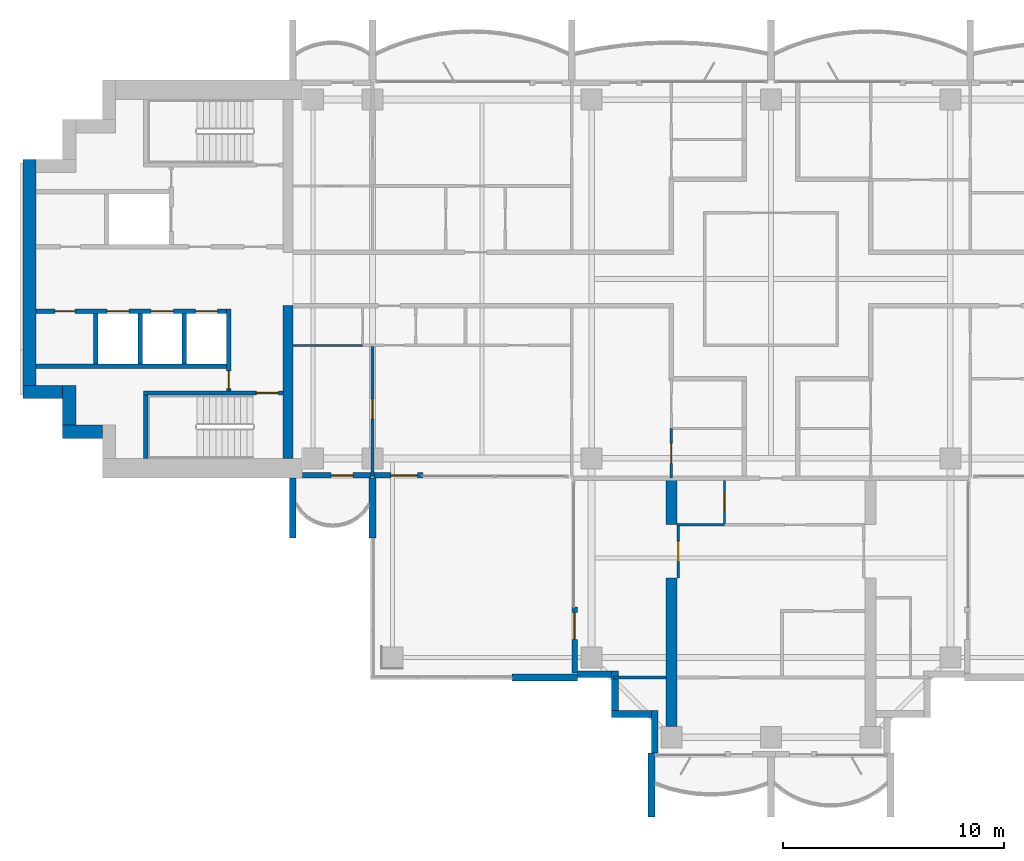
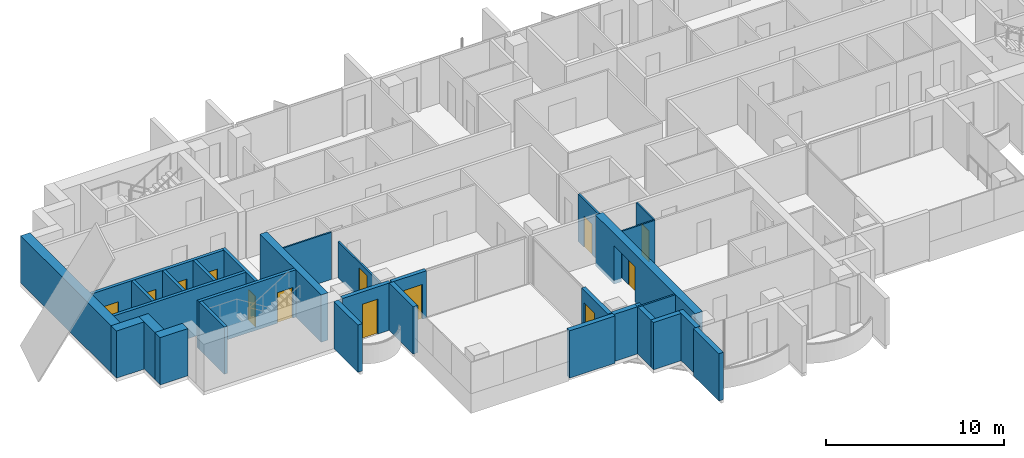
# One storey, part 8 of 17: 32 walls, 13 doors, 13 openings.
"""IFC4 building model written with IfcOpenShell, lengths in metres."""

from ifc_helpers import new_model, si_unit, direction, frame, frame_2d, origin, place, context, subcontext, project, spatial, polyline, rectangle, outline, extrude, material, layer, layer_set, material_profile, profile_set, type_object, element, fill, save


model = new_model("IFC4")

# Units and contexts
model_context = context("Model", 3, precision=1e-05, world=origin(), true_north=direction((0.0, 1.0)))
body_context = subcontext(model_context, "Body", "Model", "MODEL_VIEW")
ifc_project = project(units=[si_unit("LENGTHUNIT", "METRE"), si_unit("AREAUNIT", "SQUARE_METRE"), si_unit("VOLUMEUNIT", "CUBIC_METRE"), si_unit("PLANEANGLEUNIT", "RADIAN"), si_unit("MASSUNIT", "GRAM", prefix="KILO")], contexts=[model_context])

# Site, building, storey
site_placement = place(None, origin())
site = spatial("IfcSite", under=ifc_project, at=site_placement, CompositionType="ELEMENT")
building_placement = place(site_placement, origin())
building = spatial("IfcBuilding", under=site, at=building_placement, Name="Perihelion Cross Residences", CompositionType="ELEMENT")
storey_placement = place(building_placement, frame((0.0, 0.0, 180.60009765625)))
storey = spatial("IfcBuildingStorey", under=building, at=storey_placement, Name="L44", CompositionType="ELEMENT", Elevation=180.60009765625)

# Wall, opening, door
ifc_material_1 = material(Name="Concrete C30/37, bronze-clad", Category="concrete")
ifc_layer_1 = layer(ifc_material_1, 0.25)
ifc_layer_set_1 = layer_set([ifc_layer_1], Name="Bronze-clad pier wall 250")
wall_type_1 = type_object("IfcWallType", Name="Bronze-clad pier wall 250", PredefinedType="SOLIDWALL", material=ifc_layer_set_1)
wall_1_placement = place(storey_placement, frame((-21.175048828125, -8.875, 0.0), z_axis=(0.0, 0.0, 1.0), x_axis=(1.0, 0.0, 0.0)))
wall_1 = element("IfcWall", 1, at=wall_1_placement, inside=storey, type_object=wall_type_1, Name="Wall FW1 L44 west side south bay 1 pier", PredefinedType="SOLIDWALL", context=body_context, shape_type="SweptSolid", body=[
    extrude(rectangle(XDim=3.114990234375, YDim=0.25, at=frame_2d((1.5576171875, 0.0))), origin(), (0.0, 0.0, 1.0), 3.25),
])
opening_1_placement = place(wall_1_placement, frame((1.300048828125, 0.0, 0.0)))
opening_1 = element("IfcOpeningElement", 2, at=opening_1_placement, cuts=wall_1, Name="Opening L44.E07", PredefinedType="OPENING", context=body_context, shape_type="SweptSolid", body=[
    extrude(rectangle(XDim=1.0, YDim=2.39990234375, at=frame_2d((0.5, 1.199951171875))), frame((0.0, 0.135009765625, 0.0), z_axis=(0.0, -1.0, 0.0), x_axis=(1.0, 0.0, 0.0)), (0.0, 0.0, 1.0), 0.27001953125),
])
ifc_material_2 = material(Name="Bronze anodised aluminium, glazed", Category="aluminium")
door_type_1 = type_object("IfcDoorType", Name="Balcony door 1000 x 2400", OperationType="NOTDEFINED", PredefinedType="DOOR", material=ifc_material_2)
door_1_placement = place(opening_1_placement, origin())
door_1 = element("IfcDoor", 3, at=door_1_placement, inside=storey, type_object=door_type_1, Name="Door L44.E07 west side south bay 1", OperationType="SINGLE_SWING_LEFT", OverallHeight=2.39990234375, OverallWidth=1.0, PredefinedType="DOOR", context=body_context, shape_type="SweptSolid", body=[
    extrude(rectangle(XDim=1.0, YDim=2.39990234375, at=frame_2d((0.5, 1.199951171875))), frame((0.0, 0.02490234375, 0.0), z_axis=(0.0, -1.0, 0.0), x_axis=(1.0, 0.0, 0.0)), (0.0, 0.0, 1.0), 0.050048828125),
])
fill(opening_1, door_1)

wall_2_placement = place(storey_placement, frame((-17.93994140625, -8.875, 0.0), z_axis=(0.0, 0.0, 1.0), x_axis=(1.0, 0.0, 0.0)))
wall_2 = element("IfcWall", 4, at=wall_2_placement, inside=storey, type_object=wall_type_1, Name="Wall FW1 L44 west side south bay 2 pier", PredefinedType="SOLIDWALL", context=body_context, shape_type="SweptSolid", body=[
    extrude(rectangle(XDim=2.21484375, YDim=0.25, at=frame_2d((1.107421875, 0.0))), origin(), (0.0, 0.0, 1.0), 3.25),
])
opening_2_placement = place(wall_2_placement, frame((0.764892578125, 0.0, 0.0)))
opening_2 = element("IfcOpeningElement", 5, at=opening_2_placement, cuts=wall_2, Name="Opening L44.E08", PredefinedType="OPENING", context=body_context, shape_type="SweptSolid", body=[
    extrude(rectangle(XDim=1.199951171875, YDim=2.39990234375, at=frame_2d((0.60009765625, 1.199951171875))), frame((0.0, 0.135009765625, 0.0), z_axis=(0.0, -1.0, 0.0), x_axis=(1.0, 0.0, 0.0)), (0.0, 0.0, 1.0), 0.27001953125),
])
ifc_material_3 = material(Name="Bronze anodised aluminium, glazed", Category="aluminium")
door_type_2 = type_object("IfcDoorType", Name="Balcony door 1200 x 2400", OperationType="NOTDEFINED", PredefinedType="DOOR", material=ifc_material_3)
door_2_placement = place(opening_2_placement, origin())
door_2 = element("IfcDoor", 6, at=door_2_placement, inside=storey, type_object=door_type_2, Name="Door L44.E08 west side south bay 2", OperationType="SINGLE_SWING_RIGHT", OverallHeight=2.39990234375, OverallWidth=1.199951171875, PredefinedType="DOOR", context=body_context, shape_type="SweptSolid", body=[
    extrude(rectangle(XDim=1.199951171875, YDim=2.39990234375, at=frame_2d((0.60009765625, 1.199951171875))), frame((0.0, 0.02490234375, 0.0), z_axis=(0.0, -1.0, 0.0), x_axis=(1.0, 0.0, 0.0)), (0.0, 0.0, 1.0), 0.050048828125),
])
fill(opening_2, door_2)

wall_3_placement = place(storey_placement, frame((-8.875, -14.824951171875, 0.0), z_axis=(0.0, 0.0, 1.0), x_axis=(0.0, -1.0, 0.0)))
wall_3 = element("IfcWall", 7, at=wall_3_placement, inside=storey, type_object=wall_type_1, Name="Wall FW1 L44 south side west bay 1 pier", PredefinedType="SOLIDWALL", context=body_context, shape_type="SweptSolid", body=[
    extrude(rectangle(XDim=2.97509765625, YDim=0.25, at=frame_2d((1.487548828125, 0.0))), origin(), (0.0, 0.0, 1.0), 3.25),
])
opening_3_placement = place(wall_3_placement, frame((0.25, 0.0, 0.0)))
opening_3 = element("IfcOpeningElement", 8, at=opening_3_placement, cuts=wall_3, Name="Opening L44.E09", PredefinedType="OPENING", context=body_context, shape_type="SweptSolid", body=[
    extrude(rectangle(XDim=1.199951171875, YDim=2.39990234375, at=frame_2d((0.60009765625, 1.199951171875))), frame((0.0, 0.135009765625, 0.0), z_axis=(0.0, -1.0, 0.0), x_axis=(1.0, 0.0, 0.0)), (0.0, 0.0, 1.0), 0.27001953125),
])
door_3_placement = place(opening_3_placement, origin())
door_3 = element("IfcDoor", 9, at=door_3_placement, inside=storey, type_object=door_type_2, Name="Door L44.E09 south side west bay 1", OperationType="SINGLE_SWING_LEFT", OverallHeight=2.39990234375, OverallWidth=1.199951171875, PredefinedType="DOOR", context=body_context, shape_type="SweptSolid", body=[
    extrude(rectangle(XDim=1.199951171875, YDim=2.39990234375, at=frame_2d((0.60009765625, 1.199951171875))), frame((0.0, 0.02490234375, 0.0), z_axis=(0.0, -1.0, 0.0), x_axis=(1.0, 0.0, 0.0)), (0.0, 0.0, 1.0), 0.050048828125),
])
fill(opening_3, door_3)

# Walls
ifc_material_4 = material(Name="Concrete C30/37, bronze-clad", Category="concrete")
ifc_layer_2 = layer(ifc_material_4, 0.300048828125)
ifc_layer_set_2 = layer_set([ifc_layer_2], Name="Bronze-clad serration wall 300")
wall_type_2 = type_object("IfcWallType", Name="Bronze-clad serration wall 300", PredefinedType="SOLIDWALL", material=ifc_layer_set_2)
wall_4_placement = place(storey_placement, frame((-8.75, -17.85009765625, 0.0), z_axis=(0.0, 0.0, 1.0), x_axis=(1.0, 0.0, 0.0)))
element("IfcWall", 10, at=wall_4_placement, inside=storey, type_object=wall_type_2, Name="Wall SR1 L44 south corner south-west 1", PredefinedType="SOLIDWALL", context=body_context, shape_type="SweptSolid", body=[
    extrude(rectangle(XDim=1.550048828125, YDim=0.300048828125, at=frame_2d((0.77490234375, 0.0))), origin(), (0.0, 0.0, 1.0), 3.25),
])
for number, where, z_axis, x_axis, name in (
    (11, (-7.050048828125, -17.699951171875, 0.0), (0.0, 0.0, 1.0), (0.0, -1.0, 0.0), "Wall SR1 L44 south corner south-west 2"),
    (12, (-7.199951171875, -19.64990234375, 0.0), (0.0, 0.0, 1.0), (1.0, 0.0, 0.0), "Wall SR1 L44 south corner south-west 3"),
):
    element("IfcWall", number, at=place(storey_placement, frame(where, z_axis=z_axis, x_axis=x_axis)), inside=storey, type_object=wall_type_2, Name=name, PredefinedType="SOLIDWALL", context=body_context, shape_type="SweptSolid", body=[
        extrude(rectangle(XDim=1.800048828125, YDim=0.300048828125, at=frame_2d((0.89990234375, 0.0))), origin(), (0.0, 0.0, 1.0), 3.25),
    ])
wall_5_placement = place(storey_placement, frame((-5.25, -19.5, 0.0), z_axis=(0.0, 0.0, 1.0), x_axis=(0.0, -1.0, 0.0)))
element("IfcWall", 13, at=wall_5_placement, inside=storey, type_object=wall_type_2, Name="Wall SR1 L44 south corner south-west 4", PredefinedType="SOLIDWALL", context=body_context, shape_type="SweptSolid", body=[
    extrude(rectangle(XDim=1.919921875, YDim=0.300048828125, at=frame_2d((0.9599609375, 0.0))), origin(), (0.0, 0.0, 1.0), 3.25),
])
ifc_material_5 = material(Name="Concrete C60/75", Category="concrete")
ifc_layer_3 = layer(ifc_material_5, 0.449951171875)
ifc_layer_set_3 = layer_set([ifc_layer_3], Name="Core wall, inner 450")
wall_type_3 = type_object("IfcWallType", Name="Core wall, inner 450", PredefinedType="SHEAR", material=ifc_layer_set_3)
wall_6_placement = place(storey_placement, frame((-21.824951171875, -8.10009765625, 0.0), z_axis=(0.0, 0.0, 1.0), x_axis=(0.0, 1.0, 0.0)))
element("IfcWall", 14, at=wall_6_placement, inside=storey, type_object=wall_type_3, Name="West core core wall, inner", PredefinedType="SHEAR", context=body_context, shape_type="SweptSolid", body=[
    extrude(rectangle(XDim=6.900146484375, YDim=0.449951171875, at=frame_2d((3.4501953125, 0.0))), origin(), (0.0, 0.0, 1.0), 3.25),
])
ifc_material_6 = material(Name="Concrete C60/75", Category="concrete")
ifc_layer_4 = layer(ifc_material_6, 0.60009765625)
ifc_layer_set_4 = layer_set([ifc_layer_4], Name="Core wall, outer 600")
wall_type_4 = type_object("IfcWallType", Name="Core wall, outer 600", PredefinedType="SHEAR", material=ifc_layer_set_4)
for number, where, z_axis, x_axis, name in (
    (15, (-32.0, -6.89990234375, 0.0), (0.0, 0.0, 1.0), (1.0, 0.0, 0.0), "West core core wall, outer"),
    (16, (-31.699951171875, -6.60009765625, 0.0), (0.0, 0.0, 1.0), (0.0, 1.0, 0.0), "West core core wall, outer"),
    (17, (-33.800048828125, -5.10009765625, 0.0), (0.0, 0.0, 1.0), (1.0, 0.0, 0.0), "West core core wall, outer"),
):
    element("IfcWall", number, at=place(storey_placement, frame(where, z_axis=z_axis, x_axis=x_axis)), inside=storey, type_object=wall_type_4, Name=name, PredefinedType="SHEAR", context=body_context, shape_type="SweptSolid", body=[
        extrude(rectangle(XDim=1.800048828125, YDim=0.60009765625, at=frame_2d((0.89990234375, 0.0))), origin(), (0.0, 0.0, 1.0), 3.25),
    ])
wall_7_placement = place(storey_placement, frame((-33.5, -4.800048828125, 0.0), z_axis=(0.0, 0.0, 1.0), x_axis=(0.0, 1.0, 0.0)))
element("IfcWall", 18, at=wall_7_placement, inside=storey, type_object=wall_type_4, Name="West core core wall, outer", PredefinedType="SHEAR", context=body_context, shape_type="SweptSolid", body=[
    extrude(rectangle(XDim=10.199951171875, YDim=0.60009765625, at=frame_2d((5.10009765625, 0.0))), origin(), (0.0, 0.0, 1.0), 3.25),
])

# Wall, opening, door
ifc_material_7 = material(Name="Plasterboard partition")
ifc_layer_5 = layer(ifc_material_7, 0.1201171875)
ifc_layer_set_5 = layer_set([ifc_layer_5], Name="Infill panel 120")
wall_type_5 = type_object("IfcWallType", Name="Infill panel 120", PredefinedType="PARTITIONING", material=ifc_layer_set_5)
wall_8_placement = place(storey_placement, frame((-4.18994140625, -11.10009765625, 0.0), z_axis=(0.0, 0.0, 1.0), x_axis=(0.0, -1.0, 0.0)))
wall_8 = element("IfcWall", 19, at=wall_8_placement, inside=storey, type_object=wall_type_5, Name="Partition L44 WI02", PredefinedType="PARTITIONING", context=body_context, shape_type="SweptSolid", body=[
    extrude(rectangle(XDim=2.39990234375, YDim=0.1201171875, at=frame_2d((1.199951171875, 0.0))), origin(), (0.0, 0.0, 1.0), 2.39990234375),
])
opening_4_placement = place(wall_8_placement, frame((0.75, 0.0, 0.0)))
opening_4 = element("IfcOpeningElement", 20, at=opening_4_placement, cuts=wall_8, Name="Opening L44.A45", PredefinedType="OPENING", context=body_context, shape_type="SweptSolid", body=[
    extrude(rectangle(XDim=0.89990234375, YDim=2.10009765625, at=frame_2d((0.449951171875, 1.050048828125))), frame((0.0, 0.070068359375, 0.0), z_axis=(0.0, -1.0, 0.0), x_axis=(1.0, 0.0, 0.0)), (0.0, 0.0, 1.0), 0.14013671875),
])
ifc_material_8 = material(Name="Timber door leaf", Category="wood")
door_type_3 = type_object("IfcDoorType", Name="Interior room door 900 x 2100", OperationType="SINGLE_SWING_LEFT", PredefinedType="DOOR", material=ifc_material_8)
door_4_placement = place(opening_4_placement, origin())
door_4 = element("IfcDoor", 21, at=door_4_placement, inside=storey, type_object=door_type_3, Name="Door L44.A45", OperationType="SINGLE_SWING_LEFT", OverallHeight=2.10009765625, OverallWidth=0.89990234375, PredefinedType="DOOR", context=body_context, shape_type="SweptSolid", body=[
    extrude(rectangle(XDim=0.89990234375, YDim=2.10009765625, at=frame_2d((0.449951171875, 1.050048828125))), frame((0.0, 0.02490234375, 0.0), z_axis=(0.0, -1.0, 0.0), x_axis=(1.0, 0.0, 0.0)), (0.0, 0.0, 1.0), 0.050048828125),
])
fill(opening_4, door_4)

ifc_material_9 = material(Name="Concrete C50/60", Category="concrete")
ifc_layer_6 = layer(ifc_material_9, 0.199951171875)
ifc_layer_set_6 = layer_set([ifc_layer_6], Name="Lobby wall 200")
wall_type_6 = type_object("IfcWallType", Name="Lobby wall 200", PredefinedType="SOLIDWALL", material=ifc_layer_set_6)
wall_9_placement = place(storey_placement, frame((-24.5, -5.050048828125, 0.0), z_axis=(0.0, 0.0, 1.0), x_axis=(0.0, 1.0, 0.0)))
wall_9 = element("IfcWall", 22, at=wall_9_placement, inside=storey, type_object=wall_type_6, Name="West core lobby wall", PredefinedType="SOLIDWALL", context=body_context, shape_type="SweptSolid", body=[
    extrude(rectangle(XDim=3.699951171875, YDim=0.199951171875, at=frame_2d((1.85009765625, 0.0))), origin(), (0.0, 0.0, 1.0), 3.25),
])
opening_5_placement = place(wall_9_placement, frame((0.10009765625, 0.0, 0.0)))
opening_5 = element("IfcOpeningElement", 23, at=opening_5_placement, cuts=wall_9, Name="Opening L44.C20", PredefinedType="OPENING", context=body_context, shape_type="SweptSolid", body=[
    extrude(rectangle(XDim=0.800048828125, YDim=2.10009765625, at=frame_2d((0.39990234375, 1.050048828125))), frame((0.0, 0.10986328125, 0.0), z_axis=(0.0, -1.0, 0.0), x_axis=(1.0, 0.0, 0.0)), (0.0, 0.0, 1.0), 0.219970703125),
])
ifc_material_10 = material(Name="Steel, powder coated", Category="steel")
door_type_4 = type_object("IfcDoorType", Name="Riser door 800", OperationType="SINGLE_SWING_LEFT", PredefinedType="DOOR", material=ifc_material_10)
door_5_placement = place(opening_5_placement, origin())
door_5 = element("IfcDoor", 24, at=door_5_placement, inside=storey, type_object=door_type_4, Name="West core riser door", OperationType="SINGLE_SWING_LEFT", OverallHeight=2.10009765625, OverallWidth=0.800048828125, PredefinedType="DOOR", context=body_context, shape_type="SweptSolid", body=[
    extrude(rectangle(XDim=0.800048828125, YDim=2.10009765625, at=frame_2d((0.39990234375, 1.050048828125))), frame((0.0, 0.02490234375, 0.0), z_axis=(0.0, -1.0, 0.0), x_axis=(1.0, 0.0, 0.0)), (0.0, 0.0, 1.0), 0.050048828125),
])
fill(opening_5, door_5)

ifc_material_11 = material(Name="Plasterboard partition")
ifc_layer_7 = layer(ifc_material_11, 0.1201171875)
ifc_layer_set_7 = layer_set([ifc_layer_7], Name="Partition wall 120")
wall_type_7 = type_object("IfcWallType", Name="Partition wall 120", PredefinedType="PARTITIONING", material=ifc_layer_set_7)
wall_10_placement = place(storey_placement, frame((-18.0, -8.919921875, 0.0), z_axis=(0.0, 0.0, 1.0), x_axis=(0.0, 1.0, 0.0)))
wall_10 = element("IfcWall", 25, at=wall_10_placement, inside=storey, type_object=wall_type_7, Name="Partition L44 W059", PredefinedType="PARTITIONING", context=body_context, shape_type="SweptSolid", body=[
    extrude(rectangle(XDim=5.85986328125, YDim=0.1201171875, at=frame_2d((2.929931640625, 0.0))), origin(), (0.0, 0.0, 1.0), 2.47998046875),
])
opening_6_placement = place(wall_10_placement, frame((2.590087890625, 0.0, 0.0)))
opening_6 = element("IfcOpeningElement", 26, at=opening_6_placement, cuts=wall_10, Name="Opening L44.A32", PredefinedType="OPENING", context=body_context, shape_type="SweptSolid", body=[
    extrude(rectangle(XDim=0.89990234375, YDim=2.10009765625, at=frame_2d((0.449951171875, 1.050048828125))), frame((0.0, 0.070068359375, 0.0), z_axis=(0.0, -1.0, 0.0), x_axis=(1.0, 0.0, 0.0)), (0.0, 0.0, 1.0), 0.14013671875),
])
door_6_placement = place(opening_6_placement, origin())
door_6 = element("IfcDoor", 27, at=door_6_placement, inside=storey, type_object=door_type_3, Name="Door L44.A32", OperationType="SINGLE_SWING_LEFT", OverallHeight=2.10009765625, OverallWidth=0.89990234375, PredefinedType="DOOR", context=body_context, shape_type="SweptSolid", body=[
    extrude(rectangle(XDim=0.89990234375, YDim=2.10009765625, at=frame_2d((0.449951171875, 1.050048828125))), frame((0.0, 0.02490234375, 0.0), z_axis=(0.0, -1.0, 0.0), x_axis=(1.0, 0.0, 0.0)), (0.0, 0.0, 1.0), 0.050048828125),
])
fill(opening_6, door_6)

wall_11_placement = place(storey_placement, frame((-4.5, -6.75, 0.0), z_axis=(0.0, 0.0, 1.0), x_axis=(0.0, -1.0, 0.0)))
wall_11 = element("IfcWall", 28, at=wall_11_placement, inside=storey, type_object=wall_type_7, Name="Partition L44 W061", PredefinedType="PARTITIONING", context=body_context, shape_type="SweptSolid", body=[
    extrude(rectangle(XDim=2.25, YDim=0.1201171875, at=frame_2d((1.125, 0.0))), origin(), (0.0, 0.0, 1.0), 3.25),
])
opening_7_placement = place(wall_11_placement, frame((0.675048828125, 0.0, 0.0)))
opening_7 = element("IfcOpeningElement", 29, at=opening_7_placement, cuts=wall_11, Name="Opening L44.A29", PredefinedType="OPENING", context=body_context, shape_type="SweptSolid", body=[
    extrude(rectangle(XDim=0.89990234375, YDim=2.10009765625, at=frame_2d((0.449951171875, 1.050048828125))), frame((0.0, 0.070068359375, 0.0), z_axis=(0.0, -1.0, 0.0), x_axis=(1.0, 0.0, 0.0)), (0.0, 0.0, 1.0), 0.14013671875),
])
door_7_placement = place(opening_7_placement, origin())
door_7 = element("IfcDoor", 30, at=door_7_placement, inside=storey, type_object=door_type_3, Name="Door L44.A29", OperationType="SINGLE_SWING_LEFT", OverallHeight=2.10009765625, OverallWidth=0.89990234375, PredefinedType="DOOR", context=body_context, shape_type="SweptSolid", body=[
    extrude(rectangle(XDim=0.89990234375, YDim=2.10009765625, at=frame_2d((0.449951171875, 1.050048828125))), frame((0.0, 0.02490234375, 0.0), z_axis=(0.0, -1.0, 0.0), x_axis=(1.0, 0.0, 0.0)), (0.0, 0.0, 1.0), 0.050048828125),
])
fill(opening_7, door_7)

# Walls
wall_12_placement = place(storey_placement, frame((-4.75, -18.0, 0.0), z_axis=(0.0, 0.0, 1.0), x_axis=(-1.0, 0.0, 0.0)))
element("IfcWall", 31, at=wall_12_placement, inside=storey, type_object=wall_type_7, Name="Partition L44 W073", PredefinedType="PARTITIONING", context=body_context, shape_type="SweptSolid", body=[
    extrude(rectangle(XDim=2.3701171875, YDim=0.1201171875, at=frame_2d((1.18505859375, 0.0))), origin(), (0.0, 0.0, 1.0), 3.25),
])
ifc_material_12 = material(Name="Precast concrete C50/60", Category="concrete")
ifc_layer_8 = layer(ifc_material_12, 0.300048828125)
ifc_layer_set_8 = layer_set([ifc_layer_8], Name="Precast concrete C50/60 blade wall 300")
wall_type_8 = type_object("IfcWallType", Name="Precast concrete C50/60 blade wall 300", PredefinedType="SOLIDWALL", material=ifc_layer_set_8)
for number, where, z_axis, x_axis, name in (
    (32, (-21.60009765625, -9.0, 0.0), (0.0, 0.0, 1.0), (0.0, -1.0, 0.0), "Wall BL1 L44 no. 3"),
    (33, (-18.0, -9.0, 0.0), (0.0, 0.0, 1.0), (0.0, -1.0, 0.0), "Wall BL1 L44 no. 1"),
):
    element("IfcWall", number, at=place(storey_placement, frame(where, z_axis=z_axis, x_axis=x_axis)), inside=storey, type_object=wall_type_8, Name=name, PredefinedType="SOLIDWALL", context=body_context, shape_type="SweptSolid", body=[
        extrude(rectangle(XDim=2.699951171875, YDim=0.300048828125, at=frame_2d((1.35009765625, 0.0))), origin(), (0.0, 0.0, 1.0), 3.25),
    ])
wall_13_placement = place(storey_placement, frame((-8.75, -18.0, 0.0), z_axis=(0.0, 0.0, 1.0), x_axis=(-1.0, 0.0, 0.0)))
element("IfcWall", 34, at=wall_13_placement, inside=storey, type_object=wall_type_8, Name="Wall BL1 L44 no. 6", PredefinedType="SOLIDWALL", context=body_context, shape_type="SweptSolid", body=[
    extrude(rectangle(XDim=2.949951171875, YDim=0.300048828125, at=frame_2d((1.47509765625, 0.0))), origin(), (0.0, 0.0, 1.0), 3.25),
])
wall_14_placement = place(storey_placement, frame((-5.39990234375, -21.419921875, 0.0), z_axis=(0.0, 0.0, 1.0), x_axis=(0.0, -1.0, 0.0)))
element("IfcWall", 35, at=wall_14_placement, inside=storey, type_object=wall_type_8, Name="Wall BL1 L44 no. 5", PredefinedType="SOLIDWALL", context=body_context, shape_type="SweptSolid", body=[
    extrude(rectangle(XDim=2.880126953125, YDim=0.300048828125, at=frame_2d((1.43994140625, 0.0))), origin(), (0.0, 0.0, 1.0), 3.25),
])

# Wall, openings, doors
ifc_material_13 = material(Name="Concrete C50/60", Category="concrete")
ifc_layer_9 = layer(ifc_material_13, 0.199951171875)
ifc_layer_set_9 = layer_set([ifc_layer_9], Name="Shaft wall 200")
wall_type_9 = type_object("IfcWallType", Name="Shaft wall 200", PredefinedType="SOLIDWALL", material=ifc_layer_set_9)
wall_15_placement = place(storey_placement, frame((-33.199951171875, -1.449951171875, 0.0), z_axis=(0.0, 0.0, 1.0), x_axis=(1.0, 0.0, 0.0)))
wall_15 = element("IfcWall", 36, at=wall_15_placement, inside=storey, type_object=wall_type_9, Name="West core shaft wall", PredefinedType="SOLIDWALL", context=body_context, shape_type="SweptSolid", body=[
    extrude(rectangle(XDim=8.599853515625, YDim=0.199951171875, at=frame_2d((4.2998046875, 0.0))), origin(), (0.0, 0.0, 1.0), 3.25),
])
opening_8_placement = place(wall_15_placement, frame((7.199951171875, 0.0, 0.0)))
opening_8 = element("IfcOpeningElement", 37, at=opening_8_placement, cuts=wall_15, Name="Opening L44.C13", PredefinedType="OPENING", context=body_context, shape_type="SweptSolid", body=[
    extrude(rectangle(XDim=1.0, YDim=2.10009765625, at=frame_2d((0.5, 1.050048828125))), frame((0.0, 0.10986328125, 0.0), z_axis=(0.0, -1.0, 0.0), x_axis=(1.0, 0.0, 0.0)), (0.0, 0.0, 1.0), 0.219970703125),
])
opening_9_placement = place(wall_15_placement, frame((5.199951171875, 0.0, 0.0)))
opening_9 = element("IfcOpeningElement", 38, at=opening_9_placement, cuts=wall_15, Name="Opening L44.C15", PredefinedType="OPENING", context=body_context, shape_type="SweptSolid", body=[
    extrude(rectangle(XDim=1.0, YDim=2.10009765625, at=frame_2d((0.5, 1.050048828125))), frame((0.0, 0.10986328125, 0.0), z_axis=(0.0, -1.0, 0.0), x_axis=(1.0, 0.0, 0.0)), (0.0, 0.0, 1.0), 0.219970703125),
])
opening_10_placement = place(wall_15_placement, frame((3.199951171875, 0.0, 0.0)))
opening_10 = element("IfcOpeningElement", 39, at=opening_10_placement, cuts=wall_15, Name="Opening L44.C16", PredefinedType="OPENING", context=body_context, shape_type="SweptSolid", body=[
    extrude(rectangle(XDim=1.0, YDim=2.10009765625, at=frame_2d((0.5, 1.050048828125))), frame((0.0, 0.10986328125, 0.0), z_axis=(0.0, -1.0, 0.0), x_axis=(1.0, 0.0, 0.0)), (0.0, 0.0, 1.0), 0.219970703125),
])
opening_11_placement = place(wall_15_placement, frame((0.85009765625, 0.0, 0.0)))
opening_11 = element("IfcOpeningElement", 40, at=opening_11_placement, cuts=wall_15, Name="Opening L44.C24", PredefinedType="OPENING", context=body_context, shape_type="SweptSolid", body=[
    extrude(rectangle(XDim=0.89990234375, YDim=2.10009765625, at=frame_2d((0.449951171875, 1.050048828125))), frame((0.0, 0.10986328125, 0.0), z_axis=(0.0, -1.0, 0.0), x_axis=(1.0, 0.0, 0.0)), (0.0, 0.0, 1.0), 0.219970703125),
])
ifc_material_14 = material(Name="Stainless steel", Category="steel")
door_type_5 = type_object("IfcDoorType", Name="Landing door 1000", OperationType="DOUBLE_DOOR_SLIDING", PredefinedType="DOOR", material=ifc_material_14)
door_8_placement = place(opening_8_placement, origin())
door_8 = element("IfcDoor", 41, at=door_8_placement, inside=storey, type_object=door_type_5, Name="Landing door, West core high-rise lift 1", OperationType="DOUBLE_DOOR_SLIDING", OverallHeight=2.10009765625, OverallWidth=1.0, PredefinedType="DOOR", context=body_context, shape_type="SweptSolid", body=[
    extrude(rectangle(XDim=1.0, YDim=2.10009765625, at=frame_2d((0.5, 1.050048828125))), frame((0.0, 0.02490234375, 0.0), z_axis=(0.0, -1.0, 0.0), x_axis=(1.0, 0.0, 0.0)), (0.0, 0.0, 1.0), 0.050048828125),
])
fill(opening_8, door_8)
door_9_placement = place(opening_9_placement, origin())
door_9 = element("IfcDoor", 42, at=door_9_placement, inside=storey, type_object=door_type_5, Name="Landing door, West core high-rise lift 2", OperationType="DOUBLE_DOOR_SLIDING", OverallHeight=2.10009765625, OverallWidth=1.0, PredefinedType="DOOR", context=body_context, shape_type="SweptSolid", body=[
    extrude(rectangle(XDim=1.0, YDim=2.10009765625, at=frame_2d((0.5, 1.050048828125))), frame((0.0, 0.02490234375, 0.0), z_axis=(0.0, -1.0, 0.0), x_axis=(1.0, 0.0, 0.0)), (0.0, 0.0, 1.0), 0.050048828125),
])
fill(opening_9, door_9)
door_10_placement = place(opening_10_placement, origin())
door_10 = element("IfcDoor", 43, at=door_10_placement, inside=storey, type_object=door_type_5, Name="Landing door, West core high-rise lift 3", OperationType="DOUBLE_DOOR_SLIDING", OverallHeight=2.10009765625, OverallWidth=1.0, PredefinedType="DOOR", context=body_context, shape_type="SweptSolid", body=[
    extrude(rectangle(XDim=1.0, YDim=2.10009765625, at=frame_2d((0.5, 1.050048828125))), frame((0.0, 0.02490234375, 0.0), z_axis=(0.0, -1.0, 0.0), x_axis=(1.0, 0.0, 0.0)), (0.0, 0.0, 1.0), 0.050048828125),
])
fill(opening_10, door_10)
ifc_material_15 = material(Name="Steel, powder coated", Category="steel")
door_type_6 = type_object("IfcDoorType", Name="Service room door 900", OperationType="SINGLE_SWING_LEFT", PredefinedType="DOOR", material=ifc_material_15)
door_11_placement = place(opening_11_placement, origin())
door_11 = element("IfcDoor", 44, at=door_11_placement, inside=storey, type_object=door_type_6, Name="West core service room door", OperationType="SINGLE_SWING_LEFT", OverallHeight=2.10009765625, OverallWidth=0.89990234375, PredefinedType="DOOR", context=body_context, shape_type="SweptSolid", body=[
    extrude(rectangle(XDim=0.89990234375, YDim=2.10009765625, at=frame_2d((0.449951171875, 1.050048828125))), frame((0.0, 0.02490234375, 0.0), z_axis=(0.0, -1.0, 0.0), x_axis=(1.0, 0.0, 0.0)), (0.0, 0.0, 1.0), 0.050048828125),
])
fill(opening_11, door_11)

# Walls
wall_16_placement = place(storey_placement, frame((-33.199951171875, -3.949951171875, 0.0), z_axis=(0.0, 0.0, 1.0), x_axis=(1.0, 0.0, 0.0)))
element("IfcWall", 45, at=wall_16_placement, inside=storey, type_object=wall_type_9, Name="West core shaft wall", PredefinedType="SOLIDWALL", context=body_context, shape_type="SweptSolid", body=[
    extrude(rectangle(XDim=8.599853515625, YDim=0.199951171875, at=frame_2d((4.2998046875, 0.0))), origin(), (0.0, 0.0, 1.0), 3.25),
])
for number, where, z_axis, x_axis, name in (
    (46, (-26.5, -3.85009765625, 0.0), (0.0, 0.0, 1.0), (0.0, 1.0, 0.0), "West core shaft wall"),
    (47, (-28.5, -3.85009765625, 0.0), (0.0, 0.0, 1.0), (0.0, 1.0, 0.0), "West core shaft wall"),
    (48, (-30.5, -3.85009765625, 0.0), (0.0, 0.0, 1.0), (0.0, 1.0, 0.0), "West core shaft wall"),
):
    element("IfcWall", number, at=place(storey_placement, frame(where, z_axis=z_axis, x_axis=x_axis)), inside=storey, type_object=wall_type_9, Name=name, PredefinedType="SOLIDWALL", context=body_context, shape_type="SweptSolid", body=[
        extrude(rectangle(XDim=2.300048828125, YDim=0.199951171875, at=frame_2d((1.14990234375, 0.0))), origin(), (0.0, 0.0, 1.0), 3.25),
    ])

# Wall, opening, door
ifc_material_16 = material(Name="Concrete C50/60", Category="concrete")
ifc_layer_10 = layer(ifc_material_16, 0.199951171875)
ifc_layer_set_10 = layer_set([ifc_layer_10], Name="Stair wall 200")
wall_type_10 = type_object("IfcWallType", Name="Stair wall 200", PredefinedType="SOLIDWALL", material=ifc_layer_set_10)
wall_17_placement = place(storey_placement, frame((-28.35009765625, -5.14990234375, 0.0), z_axis=(0.0, 0.0, 1.0), x_axis=(1.0, 0.0, 0.0)))
wall_17 = element("IfcWall", 49, at=wall_17_placement, inside=storey, type_object=wall_type_10, Name="West core stair wall", PredefinedType="SOLIDWALL", context=body_context, shape_type="SweptSolid", body=[
    extrude(rectangle(XDim=6.300048828125, YDim=0.199951171875, at=frame_2d((3.14990234375, 0.0))), origin(), (0.0, 0.0, 1.0), 3.25),
])
opening_12_placement = place(wall_17_placement, frame((5.10009765625, 0.0, 0.0)))
opening_12 = element("IfcOpeningElement", 50, at=opening_12_placement, cuts=wall_17, Name="Opening L44.C17", PredefinedType="OPENING", context=body_context, shape_type="SweptSolid", body=[
    extrude(rectangle(XDim=1.0, YDim=2.10009765625, at=frame_2d((0.5, 1.050048828125))), frame((0.0, 0.10986328125, 0.0), z_axis=(0.0, -1.0, 0.0), x_axis=(1.0, 0.0, 0.0)), (0.0, 0.0, 1.0), 0.219970703125),
])
ifc_material_17 = material(Name="Steel, powder coated", Category="steel")
door_type_7 = type_object("IfcDoorType", Name="Stair door 1000", OperationType="SINGLE_SWING_LEFT", PredefinedType="DOOR", material=ifc_material_17)
door_12_placement = place(opening_12_placement, origin())
door_12 = element("IfcDoor", 51, at=door_12_placement, inside=storey, type_object=door_type_7, Name="West core stair door", OperationType="SINGLE_SWING_LEFT", OverallHeight=2.10009765625, OverallWidth=1.0, PredefinedType="DOOR", context=body_context, shape_type="SweptSolid", body=[
    extrude(rectangle(XDim=1.0, YDim=2.10009765625, at=frame_2d((0.5, 1.050048828125))), frame((0.0, 0.02490234375, 0.0), z_axis=(0.0, -1.0, 0.0), x_axis=(1.0, 0.0, 0.0)), (0.0, 0.0, 1.0), 0.050048828125),
])
fill(opening_12, door_12)

# Walls
wall_18_placement = place(storey_placement, frame((-28.25, -8.10009765625, 0.0), z_axis=(0.0, 0.0, 1.0), x_axis=(0.0, 1.0, 0.0)))
element("IfcWall", 52, at=wall_18_placement, inside=storey, type_object=wall_type_10, Name="West core stair wall", PredefinedType="SOLIDWALL", context=body_context, shape_type="SweptSolid", body=[
    extrude(rectangle(XDim=2.85009765625, YDim=0.199951171875, at=frame_2d((1.425048828125, 0.0))), origin(), (0.0, 0.0, 1.0), 3.25),
])
ifc_material_18 = material(Name="Concrete C60/75", Category="concrete")
ifc_material_profile = material_profile(ifc_material_18, outline(polyline([(0.0, 0.0), (6.72509765625, 0.0), (6.72509765625, 2.64990234375), (9.125, 2.64990234375), (9.125, 0.0), (11.22509765625, 0.0), (11.22509765625, 3.5), (0.0, 3.5), (0.0, 0.0)])), Name="Tip spine wall")
ifc_profile_set = profile_set([ifc_material_profile], Name="Concrete C60/75")
wall_type_11 = type_object("IfcWallType", Name="Tip spine wall 500 with 1 door openings 11225 long 3500 high concrete C60/75", PredefinedType="SHEAR", material=ifc_profile_set)
wall_19_placement = place(storey_placement, frame((-4.75, -20.22509765625, -0.25), z_axis=(1.0, 0.0, 0.0), x_axis=(0.0, 1.0, 0.0)))
element("IfcWall", 53, at=wall_19_placement, inside=storey, type_object=wall_type_11, Name="Shear wall SW41 L44 south west", PredefinedType="SHEAR", context=body_context, shape_type="SweptSolid", body=[
    extrude(outline(polyline([(0.0, 0.0), (6.72509765625, 0.0), (6.72509765625, 2.64990234375), (9.125, 2.64990234375), (9.125, 0.0), (11.22509765625, 0.0), (11.22509765625, 3.5), (0.0, 3.5), (0.0, 0.0)])), origin(), (0.0, 0.0, 1.0), 0.5),
])
ifc_material_19 = material(Name="Plasterboard partition")
ifc_layer_11 = layer(ifc_material_19, 0.10009765625)
ifc_layer_set_11 = layer_set([ifc_layer_11], Name="Wet room wall 100")
wall_type_12 = type_object("IfcWallType", Name="Wet room wall 100", PredefinedType="PARTITIONING", material=ifc_layer_set_11)
wall_20_placement = place(storey_placement, frame((-18.449951171875, -3.0, 0.0), z_axis=(0.0, 0.0, 1.0), x_axis=(-1.0, 0.0, 0.0)))
element("IfcWall", 54, at=wall_20_placement, inside=storey, type_object=wall_type_12, Name="Partition L44 W058", PredefinedType="PARTITIONING", context=body_context, shape_type="SweptSolid", body=[
    extrude(rectangle(XDim=3.150146484375, YDim=0.10009765625, at=frame_2d((1.5751953125, 0.0))), origin(), (0.0, 0.0, 1.0), 3.25),
])

# Wall, opening, door
wall_21_placement = place(storey_placement, frame((-2.10009765625, -11.0400390625, 0.0), z_axis=(0.0, 0.0, 1.0), x_axis=(0.0, 1.0, 0.0)))
wall_21 = element("IfcWall", 55, at=wall_21_placement, inside=storey, type_object=wall_type_12, Name="Partition L44 W063", PredefinedType="PARTITIONING", context=body_context, shape_type="SweptSolid", body=[
    extrude(rectangle(XDim=1.93994140625, YDim=0.10009765625, at=frame_2d((0.969970703125, 0.0))), origin(), (0.0, 0.0, 1.0), 3.25),
])
opening_13_placement = place(wall_21_placement, frame((0.544921875, 0.0, 0.0)))
opening_13 = element("IfcOpeningElement", 56, at=opening_13_placement, cuts=wall_21, Name="Opening L44.A35", PredefinedType="OPENING", context=body_context, shape_type="SweptSolid", body=[
    extrude(rectangle(XDim=0.85009765625, YDim=2.10009765625, at=frame_2d((0.425048828125, 1.050048828125))), frame((0.0, 0.06005859375, 0.0), z_axis=(0.0, -1.0, 0.0), x_axis=(1.0, 0.0, 0.0)), (0.0, 0.0, 1.0), 0.1201171875),
])
ifc_material_20 = material(Name="Timber door leaf", Category="wood")
door_type_8 = type_object("IfcDoorType", Name="Interior bathroom door 850 x 2100", OperationType="SINGLE_SWING_LEFT", PredefinedType="DOOR", material=ifc_material_20)
door_13_placement = place(opening_13_placement, origin())
door_13 = element("IfcDoor", 57, at=door_13_placement, inside=storey, type_object=door_type_8, Name="Door L44.A35", OperationType="SINGLE_SWING_LEFT", OverallHeight=2.10009765625, OverallWidth=0.85009765625, PredefinedType="DOOR", context=body_context, shape_type="SweptSolid", body=[
    extrude(rectangle(XDim=0.85009765625, YDim=2.10009765625, at=frame_2d((0.425048828125, 1.050048828125))), frame((0.0, 0.02490234375, 0.0), z_axis=(0.0, -1.0, 0.0), x_axis=(1.0, 0.0, 0.0)), (0.0, 0.0, 1.0), 0.050048828125),
])
fill(opening_13, door_13)

# Wall
wall_22_placement = place(storey_placement, frame((-2.10009765625, -11.10009765625, 0.0), z_axis=(0.0, 0.0, 1.0), x_axis=(-1.0, 0.0, 0.0)))
element("IfcWall", 58, at=wall_22_placement, inside=storey, type_object=wall_type_12, Name="Partition L44 W065", PredefinedType="PARTITIONING", context=body_context, shape_type="SweptSolid", body=[
    extrude(rectangle(XDim=2.14990234375, YDim=0.10009765625, at=frame_2d((1.074951171875, 0.0))), origin(), (0.0, 0.0, 1.0), 3.25),
])

save(model, "model.ifc")
